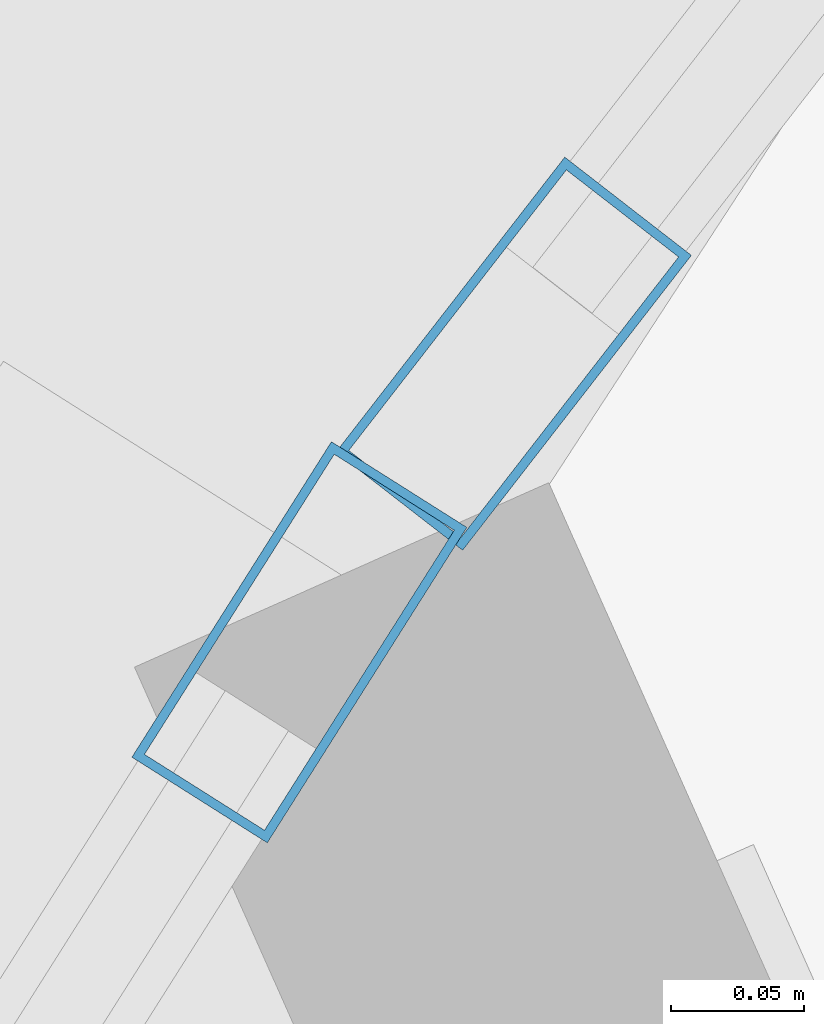
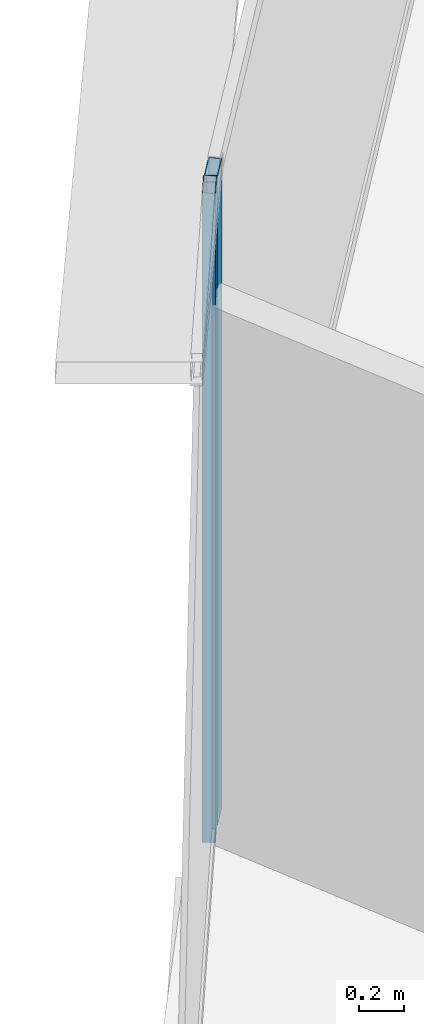
# One storey, part 20 of 33: 2 members, 2 elements without a shape of their own.
"""IFC4 building model written with IfcOpenShell, lengths in metres."""

from ifc_helpers import new_model, si_unit, direction, frame, origin, origin_2d, place, context, subcontext, project, spatial, hollow_rectangle, extrude, source, transform, mapped, material, layer, layer_set, material_profile, profile_set, type_object, element, aggregate, save


model = new_model("IFC4")

# Units and contexts
model_context = context("Model", 3, precision=1e-05, world=origin(), true_north=direction((0.0, 1.0)))
body_context = subcontext(model_context, "Body", "Model", "MODEL_VIEW")
ifc_project = project(units=[si_unit("LENGTHUNIT", "METRE"), si_unit("AREAUNIT", "SQUARE_METRE"), si_unit("VOLUMEUNIT", "CUBIC_METRE"), si_unit("PLANEANGLEUNIT", "RADIAN"), si_unit("MASSUNIT", "GRAM", prefix="KILO"), si_unit("THERMODYNAMICTEMPERATUREUNIT", "KELVIN"), si_unit("POWERUNIT", "WATT")], contexts=[model_context])

# Site, building, storey
site_placement = place(None, origin())
site = spatial("IfcSite", under=ifc_project, at=site_placement, CompositionType="ELEMENT")
building_placement = place(site_placement, origin())
building = spatial("IfcBuilding", under=site, at=building_placement, Name="Yunzhuo Pagoda Commons", CompositionType="ELEMENT")
storey_placement = place(building_placement, frame((0.0, 0.0, 325.510009765625)))
storey = spatial("IfcBuildingStorey", under=building, at=storey_placement, Name="L81", CompositionType="ELEMENT", Elevation=325.510009765625)

# Curtain wall, member
ifc_material = material(Name="Anodized aluminium 6063-T6", Category="aluminium")
ifc_layer = layer(ifc_material, 0.139892578125)
ifc_layer_set = layer_set([ifc_layer], Name="Anodized aluminium 6063-T6")
curtain_wall_type = type_object("IfcCurtainWallType", Name="CW-HI High-Zone Ribbon Curtain Wall", PredefinedType="NOTDEFINED", material=ifc_layer_set)
curtain_wall_1_placement = place(storey_placement, origin())
curtain_wall_1 = element("IfcCurtainWall", 1, at=curtain_wall_1_placement, inside=storey, type_object=curtain_wall_type, Name="L81 curtain wall CW-L81-F3B2", PredefinedType="NOTDEFINED")
ifc_material_profile = material_profile(ifc_material, hollow_rectangle(XDim=0.06005859375, YDim=0.139892578125, WallThickness=0.00341796875, at=origin_2d()), Name="Anodized aluminium 6063-T6")
ifc_profile_set = profile_set([ifc_material_profile], Name="Anodized aluminium 6063-T6")
member_type = type_object("IfcMemberType", Name="CW-HI-M Mullion RHS 140x60x3.5", PredefinedType="MULLION", material=ifc_profile_set)
shared_shape = source(origin(), body_context, "Body", "SweptSolid", [
    extrude(hollow_rectangle(XDim=0.06005859375, YDim=0.139892578125, WallThickness=0.00341796875, at=origin_2d()), origin(), (0.0, 0.0, 1.0), 3.489990234375),
])
member_1_placement = place(storey_placement, frame((35.765869140625, 61.117431640625, 0.0), z_axis=(0.0, 0.0, 1.0), x_axis=(0.845148830397, -0.534531060349, 0.0)))
member_1 = element("IfcMember", 2, at=member_1_placement, type_object=member_type, Name="CW mullion 1", PredefinedType="MULLION", context=body_context, shape_type="MappedRepresentation", body=[
    mapped(shared_shape, transform((0.0, 0.0, 0.0), scale=1.0)),
])
aggregate(curtain_wall_1, [member_1])

curtain_wall_2_placement = place(storey_placement, origin())
curtain_wall_2 = element("IfcCurtainWall", 3, at=curtain_wall_2_placement, inside=storey, type_object=curtain_wall_type, Name="L81 curtain wall CW-L81-F3B1", PredefinedType="NOTDEFINED")
member_2_placement = place(storey_placement, frame((35.84619140625, 61.2255859375, 0.0), z_axis=(0.0, 0.0, 1.0), x_axis=(0.790146906982, -0.612917502921, 0.0)))
member_2 = element("IfcMember", 4, at=member_2_placement, type_object=member_type, Name="CW mullion 2", PredefinedType="MULLION", context=body_context, shape_type="MappedRepresentation", body=[
    mapped(shared_shape, transform((0.0, 0.0, 0.0), scale=1.0)),
])
aggregate(curtain_wall_2, [member_2])

save(model, "model.ifc")
